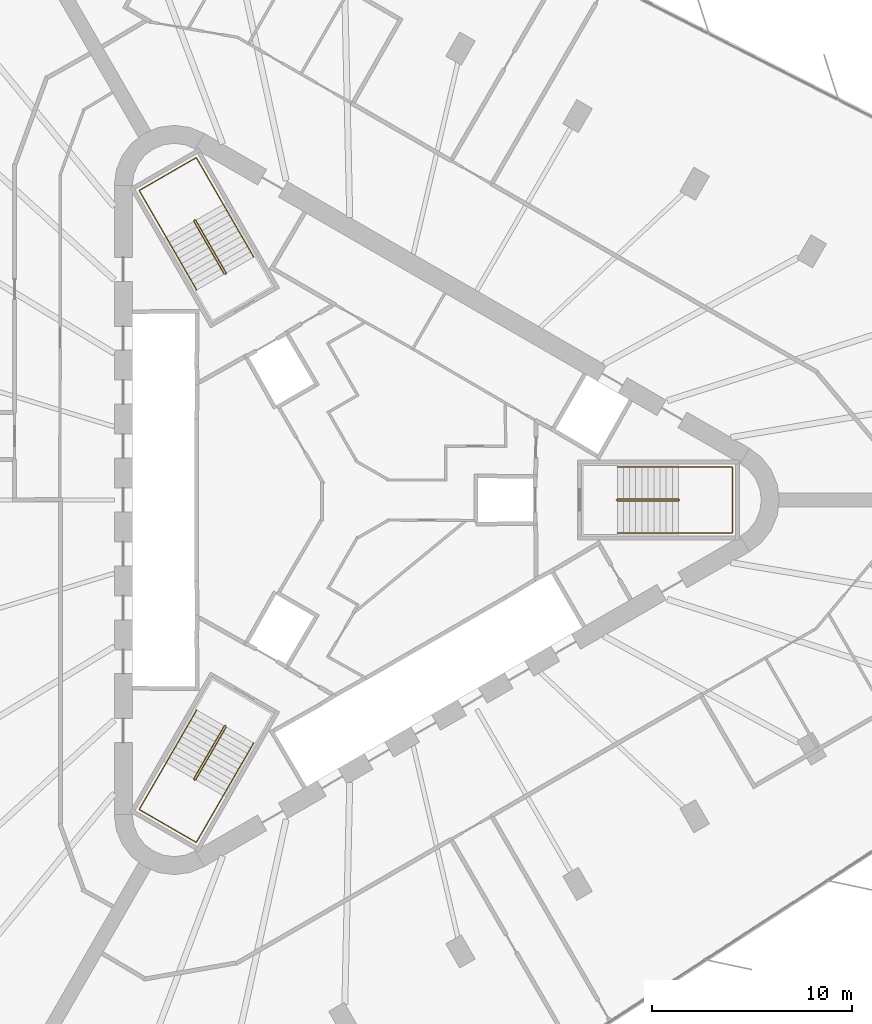
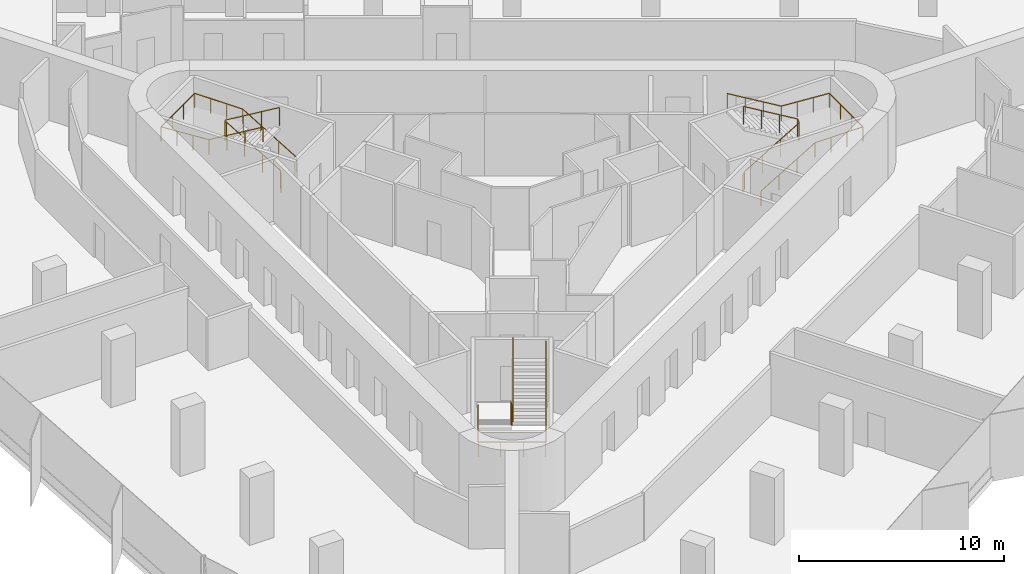
# One storey, part 14 of 14: 6 railings.
"""IFC4 building model written with IfcOpenShell, lengths in metres."""

import ifcopenshell
import ifcopenshell.guid

model = None  # the IFC model being written
_history = None  # IfcOwnerHistory: only IFC2X3 demands one
_inside = {}  # id of a spatial element -> (the spatial element, [elements in it])
_under = {}  # id of a project, library or spatial element -> (it, [spatial elements below it])
_declared = {}  # id of a project -> (the project, [libraries it declares])
_typed = {}  # id of a type object -> (the type object, [elements of that type])
_made_of = {}  # id of a material, layer set ... -> (it, [elements and type objects made of it])


def new_model(schema):
    """Start an empty IFC model of exactly this schema.

    Asked for "IFC4X3", IfcOpenShell would pick the latest addendum, in which some entities
    have other attributes; the version numbers below select the first issue.
    IFC2X3 requires an IfcOwnerHistory on every rooted entity: one is made here for all.
    """
    global model, _history
    if schema == "IFC4X3":
        model = ifcopenshell.file(schema_version=(4, 3, 0, 0))
    else:
        model = ifcopenshell.file(schema=schema)
    _inside.clear()
    _under.clear()
    _declared.clear()
    _typed.clear()
    _made_of.clear()
    _history = None
    if model.schema == "IFC2X3":
        org = make("IfcOrganization", Name="unknown")
        user = make(
            "IfcPersonAndOrganization",
            ThePerson=make("IfcPerson", FamilyName="unknown"),
            TheOrganization=org,
        )
        app = make(
            "IfcApplication",
            ApplicationDeveloper=org,
            Version="unknown",
            ApplicationFullName="unknown",
            ApplicationIdentifier="unknown",
        )
        _history = make(
            "IfcOwnerHistory",
            OwningUser=user,
            OwningApplication=app,
            ChangeAction="ADDED",
            CreationDate=0,
        )
    return model


def make(cls, **values):
    """One entity of the class cls with the attributes given. An attribute that is None is left unset."""
    return model.create_entity(
        cls, **{name: value for name, value in values.items() if value is not None}
    )


def rooted(cls, **values):
    """An entity with a GlobalId (a new one), such as an element, a storey or a relation."""
    return make(cls, GlobalId=ifcopenshell.guid.new(), OwnerHistory=_history, **values)


def si_unit(unit_type, name, prefix=None):
    """IfcSIUnit, for example si_unit("LENGTHUNIT", "METRE", prefix="MILLI")."""
    return make("IfcSIUnit", UnitType=unit_type, Prefix=prefix, Name=name)


def assignment(units):
    """IfcUnitAssignment: the units of a project."""
    return None if units is None else make("IfcUnitAssignment", Units=units)


def point(xyz):
    """IfcCartesianPoint."""
    return None if xyz is None else make("IfcCartesianPoint", Coordinates=xyz)


def direction(xyz):
    """IfcDirection."""
    return None if xyz is None else make("IfcDirection", DirectionRatios=xyz)


def frame(location, z_axis=None, x_axis=None):
    """IfcAxis2Placement3D, a coordinate frame: its origin and axes. An axis left out is left unset."""
    return make(
        "IfcAxis2Placement3D",
        Location=point(location),
        Axis=direction(z_axis),
        RefDirection=direction(x_axis),
    )


def frame_2d(location, x_axis=None):
    """IfcAxis2Placement2D, a coordinate frame in the plane: its origin and x axis."""
    return make(
        "IfcAxis2Placement2D", Location=point(location), RefDirection=direction(x_axis)
    )


def origin():
    """The frame at (0, 0, 0) with its axes left unset."""
    return frame((0.0, 0.0, 0.0))


def origin_2d():
    """The frame at (0, 0) in the plane with its x axis left unset."""
    return frame_2d((0.0, 0.0))


def place(relative_to, where):
    """IfcLocalPlacement: puts the frame where relative to a parent placement (None: the world)."""
    return make(
        "IfcLocalPlacement", PlacementRelTo=relative_to, RelativePlacement=where
    )


def context(
    kind, dimensions, precision=None, world=None, true_north=None, identifier=None
):
    """IfcGeometricRepresentationContext, for example the 3D "Model" context."""
    return make(
        "IfcGeometricRepresentationContext",
        ContextIdentifier=identifier,
        ContextType=kind,
        CoordinateSpaceDimension=dimensions,
        Precision=precision,
        WorldCoordinateSystem=world,
        TrueNorth=true_north,
    )


def subcontext(parent, identifier, kind, view, scale=None):
    """IfcGeometricRepresentationSubContext, for example "Body" below "Model"."""
    return make(
        "IfcGeometricRepresentationSubContext",
        ContextIdentifier=identifier,
        ContextType=kind,
        ParentContext=parent,
        TargetScale=scale,
        TargetView=view,
    )


def project(units=None, contexts=None):
    """IfcProject with its units and contexts."""
    return rooted(
        "IfcProject",
        Name="project",
        RepresentationContexts=contexts,
        UnitsInContext=assignment(units),
    )


def spatial(cls, under=None, at=None, **own):
    """A site, building, storey or space (cls), placed at a placement, below another one or the project."""
    s = rooted(cls, ObjectPlacement=at, **own)
    if under is not None:
        _under.setdefault(under.id(), (under, []))[1].append(s)
    return s


def profile(cls, at=None, kind="AREA", **sizes):
    """A parametric profile (cls). Its sizes go by their IFC names, for example OverallWidth=200.0."""
    return make(cls, ProfileType=kind, Position=at, **sizes)


def circle(**sizes):
    """IfcCircleProfileDef."""
    return profile("IfcCircleProfileDef", **sizes)


def extrude(swept, where, along, depth):
    """IfcExtrudedAreaSolid: the profile swept, set in the frame where, extruded along a direction by depth."""
    return make(
        "IfcExtrudedAreaSolid",
        SweptArea=swept,
        Position=where,
        ExtrudedDirection=direction(along),
        Depth=depth,
    )


def shape(context_of_items, identifier, shape_type, items):
    """IfcShapeRepresentation: the items that make up one representation, for example the "Body"."""
    return make(
        "IfcShapeRepresentation",
        ContextOfItems=context_of_items,
        RepresentationIdentifier=identifier,
        RepresentationType=shape_type,
        Items=items,
    )


def material(Name=None, Category=None):
    """IfcMaterial."""
    return make("IfcMaterial", Name=Name, Category=Category)


def made_of(thing, what):
    """Note that an element or type object is made of a material, layer set ...; save() writes the relation."""
    if what is not None:
        _made_of.setdefault(what.id(), (what, []))[1].append(thing)
    return thing


def type_object(cls, material=None, **own):
    """A type object (cls), such as IfcWallType, which elements share."""
    return made_of(rooted(cls, **own), material)


def element(
    cls,
    number,
    at=None,
    inside=None,
    cuts=None,
    type_object=None,
    material=None,
    context=None,
    identifier="Body",
    shape_type=None,
    held_by="IfcProductDefinitionShape",
    body=None,
    shapes=None,
    **own,
):
    """One element of the class cls, such as IfcWall. Its Tag is "e" and its number.

    at: its placement. inside: the storey or other place that contains it. cuts: it is an
    opening in that element (IfcRelVoidsElement). A single representation is given by context,
    identifier, shape_type and body (its items); several are given by shapes. held_by: the class
    of the entity that holds the representations. save() writes the other relations.
    """
    e = rooted(cls, Tag="e%d" % number, ObjectPlacement=at, **own)
    if body is not None:
        shapes = [shape(context, identifier, shape_type, body)]
    if shapes is not None:
        e.Representation = make(held_by, Representations=shapes)
    if inside is not None:
        _inside.setdefault(inside.id(), (inside, []))[1].append(e)
    if cuts is not None:
        rooted(
            "IfcRelVoidsElement", RelatingBuildingElement=cuts, RelatedOpeningElement=e
        )
    if type_object is not None:
        _typed.setdefault(type_object.id(), (type_object, []))[1].append(e)
    return made_of(e, material)


def aggregate(whole, parts):
    """IfcRelAggregates: a whole, such as a stair, and the parts it consists of."""
    return rooted("IfcRelAggregates", RelatingObject=whole, RelatedObjects=parts)


def save(model, path):
    """Write the relations noted so far, then the file.

    IfcRelAggregates (storeys below a building ...), IfcRelContainedInSpatialStructure (elements
    in a storey), IfcRelDefinesByType, IfcRelAssociatesMaterial and IfcRelDeclares: one each for
    every whole, place, type object, material and project.
    """
    for whole, parts in _under.values():
        aggregate(whole, parts)
    for where, things in _inside.values():
        rooted(
            "IfcRelContainedInSpatialStructure",
            RelatedElements=things,
            RelatingStructure=where,
        )
    for kind, things in _typed.values():
        rooted("IfcRelDefinesByType", RelatedObjects=things, RelatingType=kind)
    for what, things in _made_of.values():
        rooted("IfcRelAssociatesMaterial", RelatedObjects=things, RelatingMaterial=what)
    for by, libraries in _declared.values():
        rooted("IfcRelDeclares", RelatingContext=by, RelatedDefinitions=libraries)
    model.write(path)


model = new_model("IFC4")

# Units and contexts
model_context = context("Model", 3, precision=1e-05, world=origin(), true_north=direction((0.0, 1.0)))
body_context = subcontext(model_context, "Body", "Model", "MODEL_VIEW")
ifc_project = project(units=[si_unit("LENGTHUNIT", "METRE"), si_unit("AREAUNIT", "SQUARE_METRE"), si_unit("VOLUMEUNIT", "CUBIC_METRE"), si_unit("PLANEANGLEUNIT", "RADIAN"), si_unit("MASSUNIT", "GRAM", prefix="KILO")], contexts=[model_context])

# Site, building, storey
site_placement = place(None, origin())
site = spatial("IfcSite", under=ifc_project, at=site_placement, CompositionType="ELEMENT")
building_placement = place(site_placement, origin())
building = spatial("IfcBuilding", under=site, at=building_placement, Name="Tanit Gate Tower", CompositionType="ELEMENT")
storey_placement = place(building_placement, frame((0.0, 0.0, 205.199951171875)))
storey = spatial("IfcBuildingStorey", under=building, at=storey_placement, Name="L45", CompositionType="ELEMENT", Elevation=205.199951171875)

# Railings
ifc_material_1 = material(Name="Stainless steel balustrade", Category="steel")
railing_type_1 = type_object("IfcRailingType", Name="INT-STAIR-GUARD", PredefinedType="GUARDRAIL", material=ifc_material_1)
railing_1_placement = place(storey_placement, frame((13.044921875, 0.0048828125, 0.0)))
element("IfcRailing", 1, at=railing_1_placement, inside=storey, type_object=railing_type_1, Name="L45 S1 stair guard 1", PredefinedType="GUARDRAIL", context=body_context, shape_type="SweptSolid", body=[
    extrude(circle(Radius=0.02392578125, at=origin_2d()), frame((0.0, 0.0, 1.076171875), z_axis=(0.0, -1.0, 0.0), x_axis=(1.0, 0.0, 0.0)), (0.0, 0.0, 1.0), 0.009765625),
    extrude(circle(Radius=0.02392578125, at=origin_2d()), frame((0.0, -0.009765625, 1.076171875), z_axis=(0.256435381639, -0.256435381639, 0.931923704005), x_axis=(0.707106781187, 0.707106781187, 0.0)), (0.0, 0.0, 1.0), 0.195068359375),
    extrude(circle(Radius=0.02392578125, at=origin_2d()), frame((0.050048828125, -0.059814453125, 1.2578125), z_axis=(0.859041732319, 0.0, 0.511905559781), x_axis=(0.0, 1.0, 0.0)), (0.0, 0.0, 1.0), 3.5517578125),
    extrude(circle(Radius=0.02392578125, at=origin_2d()), frame((3.10107421875, -0.059814453125, 3.076171875), z_axis=(0.707106781187, 0.707106781187, 0.0), x_axis=(-0.707106781187, 0.707106781187, 0.0)), (0.0, 0.0, 1.0), 0.07080078125),
    extrude(circle(Radius=0.02392578125, at=origin_2d()), frame((3.151123046875, -0.009765625, 3.076171875), z_axis=(0.0, 1.0, 0.0), x_axis=(-1.0, 0.0, 0.0)), (0.0, 0.0, 1.0), 0.009765625),
    extrude(circle(Radius=0.02392578125, at=origin_2d()), frame((3.151123046875, 0.0, 3.076171875), z_axis=(-0.256435381639, 0.256435381639, 0.931923704005), x_axis=(-0.707106781187, -0.707106781187, 0.0)), (0.0, 0.0, 1.0), 0.195068359375),
    extrude(circle(Radius=0.02392578125, at=origin_2d()), frame((3.10107421875, 0.050048828125, 3.2578125), z_axis=(-0.859041732319, 0.0, 0.511905559781), x_axis=(0.0, -1.0, 0.0)), (0.0, 0.0, 1.0), 3.5517578125),
    extrude(circle(Radius=0.02099609375, at=origin_2d()), origin(), (0.0, 0.0, 1.0), 1.052001953125),
    extrude(circle(Radius=0.02099609375, at=origin_2d()), frame((0.0, -0.009765625, 0.0)), (0.0, 0.0, 1.0), 1.052001953125),
    extrude(circle(Radius=0.02099609375, at=origin_2d()), frame((0.050048828125, -0.059814453125, 0.181884765625)), (0.0, 0.0, 1.0), 1.052001953125),
    extrude(circle(Radius=0.02099609375, at=origin_2d()), frame((1.067138671875, -0.059814453125, 0.787841796875)), (0.0, 0.0, 1.0), 1.052001953125),
    extrude(circle(Radius=0.02099609375, at=origin_2d()), frame((2.083984375, -0.059814453125, 1.39404296875)), (0.0, 0.0, 1.0), 1.052001953125),
    extrude(circle(Radius=0.02099609375, at=origin_2d()), frame((3.10107421875, -0.059814453125, 2.0)), (0.0, 0.0, 1.0), 1.052001953125),
    extrude(circle(Radius=0.02099609375, at=origin_2d()), frame((3.151123046875, -0.009765625, 2.0)), (0.0, 0.0, 1.0), 1.052001953125),
    extrude(circle(Radius=0.02099609375, at=origin_2d()), frame((3.151123046875, 0.0, 2.0)), (0.0, 0.0, 1.0), 1.052001953125),
    extrude(circle(Radius=0.02099609375, at=origin_2d()), frame((3.10107421875, 0.050048828125, 2.181884765625)), (0.0, 0.0, 1.0), 1.052001953125),
    extrude(circle(Radius=0.02099609375, at=origin_2d()), frame((2.083984375, 0.050048828125, 2.787841796875)), (0.0, 0.0, 1.0), 1.052001953125),
    extrude(circle(Radius=0.02099609375, at=origin_2d()), frame((1.067138671875, 0.050048828125, 3.39404296875)), (0.0, 0.0, 1.0), 1.052001953125),
    extrude(circle(Radius=0.02099609375, at=origin_2d()), frame((0.050048828125, 0.050048828125, 4.0)), (0.0, 0.0, 1.0), 1.052001953125),
])
railing_2_placement = place(storey_placement, frame((-6.527099609375, 11.29345703125, 0.0)))
element("IfcRailing", 2, at=railing_2_placement, inside=storey, type_object=railing_type_1, Name="L45 S2 stair guard 1", PredefinedType="GUARDRAIL", context=body_context, shape_type="SweptSolid", body=[
    extrude(circle(Radius=0.02392578125, at=origin_2d()), frame((0.0, 0.0, 1.076171875), z_axis=(0.868243142124, 0.496138938357, 0.0), x_axis=(-0.496138938357, 0.868243142124, 0.0)), (0.0, 0.0, 1.0), 0.01171875),
    extrude(circle(Radius=0.02392578125, at=origin_2d()), frame((0.01025390625, 0.005859375, 1.076171875), z_axis=(0.093819657636, 0.350260055175, 0.93194193252), x_axis=(-0.965948051503, 0.258736085224, 0.0)), (0.0, 0.0, 1.0), 0.195068359375),
    extrude(circle(Radius=0.02392578125, at=origin_2d()), frame((0.028564453125, 0.07421875, 1.2578125), z_axis=(-0.429472220917, 0.743822504634, 0.512134448226), x_axis=(-0.866012246495, -0.500022788402, 0.0)), (0.0, 0.0, 1.0), 3.550048828125),
    extrude(circle(Radius=0.02392578125, at=origin_2d()), frame((-1.49609375, 2.71484375, 3.076171875), z_axis=(-0.965715946433, 0.259601060869, 0.0), x_axis=(-0.259601060869, -0.965715946433, 0.0)), (0.0, 0.0, 1.0), 0.070556640625),
    extrude(circle(Radius=0.02392578125, at=origin_2d()), frame((-1.564208984375, 2.733154296875, 3.076171875), z_axis=(-0.873197702015, -0.487366159264, 0.0), x_axis=(0.487366159264, -0.873197702015, 0.0)), (0.0, 0.0, 1.0), 0.011962890625),
    extrude(circle(Radius=0.02392578125, at=origin_2d()), frame((-1.57470703125, 2.727294921875, 3.076171875), z_axis=(-0.093819657636, -0.350260055175, 0.93194193252), x_axis=(0.965948051503, -0.258736085224, 0.0)), (0.0, 0.0, 1.0), 0.195068359375),
    extrude(circle(Radius=0.02392578125, at=origin_2d()), frame((-1.593017578125, 2.658935546875, 3.2578125), z_axis=(0.429472220917, -0.743822504634, 0.512134448226), x_axis=(0.866012246495, 0.500022788402, 0.0)), (0.0, 0.0, 1.0), 3.550048828125),
    extrude(circle(Radius=0.02099609375, at=origin_2d()), origin(), (0.0, 0.0, 1.0), 1.052001953125),
    extrude(circle(Radius=0.02099609375, at=origin_2d()), frame((0.01025390625, 0.005859375, 0.0)), (0.0, 0.0, 1.0), 1.052001953125),
    extrude(circle(Radius=0.02099609375, at=origin_2d()), frame((0.028564453125, 0.07421875, 0.181884765625)), (0.0, 0.0, 1.0), 1.052001953125),
    extrude(circle(Radius=0.02099609375, at=origin_2d()), frame((-0.479736328125, 0.954345703125, 0.787841796875)), (0.0, 0.0, 1.0), 1.052001953125),
    extrude(circle(Radius=0.02099609375, at=origin_2d()), frame((-0.98779296875, 1.834716796875, 1.39404296875)), (0.0, 0.0, 1.0), 1.052001953125),
    extrude(circle(Radius=0.02099609375, at=origin_2d()), frame((-1.49609375, 2.71484375, 2.0)), (0.0, 0.0, 1.0), 1.052001953125),
    extrude(circle(Radius=0.02099609375, at=origin_2d()), frame((-1.564208984375, 2.733154296875, 2.0)), (0.0, 0.0, 1.0), 1.052001953125),
    extrude(circle(Radius=0.02099609375, at=origin_2d()), frame((-1.57470703125, 2.727294921875, 2.0)), (0.0, 0.0, 1.0), 1.052001953125),
    extrude(circle(Radius=0.02099609375, at=origin_2d()), frame((-1.593017578125, 2.658935546875, 2.181884765625)), (0.0, 0.0, 1.0), 1.052001953125),
    extrude(circle(Radius=0.02099609375, at=origin_2d()), frame((-1.084716796875, 1.77880859375, 2.787841796875)), (0.0, 0.0, 1.0), 1.052001953125),
    extrude(circle(Radius=0.02099609375, at=origin_2d()), frame((-0.57666015625, 0.8984375, 3.39404296875)), (0.0, 0.0, 1.0), 1.052001953125),
    extrude(circle(Radius=0.02099609375, at=origin_2d()), frame((-0.068359375, 0.018310546875, 4.0)), (0.0, 0.0, 1.0), 1.052001953125),
])
railing_3_placement = place(storey_placement, frame((-6.51806640625, -11.2998046875, 0.0)))
element("IfcRailing", 3, at=railing_3_placement, inside=storey, type_object=railing_type_1, Name="L45 S3 stair guard 1", PredefinedType="GUARDRAIL", context=body_context, shape_type="SweptSolid", body=[
    extrude(circle(Radius=0.02392578125, at=origin_2d()), frame((0.0, 0.0, 1.076171875), z_axis=(-0.874157276122, 0.485642931179, 0.0), x_axis=(-0.485642931179, -0.874157276122, 0.0)), (0.0, 0.0, 1.0), 0.010009765625),
    extrude(circle(Radius=0.02392578125, at=origin_2d()), frame((-0.0087890625, 0.0048828125, 1.076171875), z_axis=(-0.350300895388, -0.092579522353, 0.932050596658), x_axis=(0.255512919477, -0.966805641264, 0.0)), (0.0, 0.0, 1.0), 0.195068359375),
    extrude(circle(Radius=0.02392578125, at=origin_2d()), frame((-0.0771484375, -0.01318359375, 1.2578125), z_axis=(-0.429486674828, -0.743971555965, 0.511905772639), x_axis=(0.866048339477, -0.499960272111, 0.0)), (0.0, 0.0, 1.0), 3.5517578125),
    extrude(circle(Radius=0.02392578125, at=origin_2d()), frame((-1.6025390625, -2.655517578125, 3.076171875), z_axis=(0.258736085224, -0.965948051503, 0.0), x_axis=(0.965948051503, 0.258736085224, 0.0)), (0.0, 0.0, 1.0), 0.07080078125),
    extrude(circle(Radius=0.02392578125, at=origin_2d()), frame((-1.584228515625, -2.723876953125, 3.076171875), z_axis=(0.868243142124, -0.496138938357, 0.0), x_axis=(0.496138938357, 0.868243142124, 0.0)), (0.0, 0.0, 1.0), 0.009765625),
    extrude(circle(Radius=0.02392578125, at=origin_2d()), frame((-1.57568359375, -2.728759765625, 3.076171875), z_axis=(0.350260055175, 0.093819657636, 0.93194193252), x_axis=(-0.258736085224, 0.965948051503, 0.0)), (0.0, 0.0, 1.0), 0.195068359375),
    extrude(circle(Radius=0.02392578125, at=origin_2d()), frame((-1.50732421875, -2.71044921875, 3.2578125), z_axis=(0.429564698942, 0.743918894535, 0.511916836777), x_axis=(-0.865993683553, 0.500054937028, 0.0)), (0.0, 0.0, 1.0), 3.551513671875),
    extrude(circle(Radius=0.02099609375, at=origin_2d()), origin(), (0.0, 0.0, 1.0), 1.052001953125),
    extrude(circle(Radius=0.02099609375, at=origin_2d()), frame((-0.0087890625, 0.0048828125, 0.0)), (0.0, 0.0, 1.0), 1.052001953125),
    extrude(circle(Radius=0.02099609375, at=origin_2d()), frame((-0.0771484375, -0.01318359375, 0.181884765625)), (0.0, 0.0, 1.0), 1.052001953125),
    extrude(circle(Radius=0.02099609375, at=origin_2d()), frame((-0.585693359375, -0.89404296875, 0.787841796875)), (0.0, 0.0, 1.0), 1.052001953125),
    extrude(circle(Radius=0.02099609375, at=origin_2d()), frame((-1.093994140625, -1.774658203125, 1.39404296875)), (0.0, 0.0, 1.0), 1.052001953125),
    extrude(circle(Radius=0.02099609375, at=origin_2d()), frame((-1.6025390625, -2.655517578125, 2.0)), (0.0, 0.0, 1.0), 1.052001953125),
    extrude(circle(Radius=0.02099609375, at=origin_2d()), frame((-1.584228515625, -2.723876953125, 2.0)), (0.0, 0.0, 1.0), 1.052001953125),
    extrude(circle(Radius=0.02099609375, at=origin_2d()), frame((-1.57568359375, -2.728759765625, 2.0)), (0.0, 0.0, 1.0), 1.052001953125),
    extrude(circle(Radius=0.02099609375, at=origin_2d()), frame((-1.50732421875, -2.71044921875, 2.181884765625)), (0.0, 0.0, 1.0), 1.052001953125),
    extrude(circle(Radius=0.02099609375, at=origin_2d()), frame((-0.998779296875, -1.829833984375, 2.787841796875)), (0.0, 0.0, 1.0), 1.052001953125),
    extrude(circle(Radius=0.02099609375, at=origin_2d()), frame((-0.490234375, -0.948974609375, 3.39404296875)), (0.0, 0.0, 1.0), 1.052001953125),
    extrude(circle(Radius=0.02099609375, at=origin_2d()), frame((0.018310546875, -0.068359375, 4.0)), (0.0, 0.0, 1.0), 1.052001953125),
])
ifc_material_2 = material(Name="Stainless steel handrail", Category="steel")
railing_type_2 = type_object("IfcRailingType", Name="INT-STAIR-HANDRAIL", PredefinedType="HANDRAIL", material=ifc_material_2)
railing_4_placement = place(storey_placement, frame((13.094970703125, -1.64990234375, 0.181884765625)))
element("IfcRailing", 4, at=railing_4_placement, inside=storey, type_object=railing_type_2, Name="L45 S1 stair handrail 1", PredefinedType="HANDRAIL", context=body_context, shape_type="SweptSolid", body=[
    extrude(circle(Radius=0.02392578125, at=origin_2d()), frame((0.0, 0.0, 0.8759765625), z_axis=(0.859041732319, 0.0, 0.511905559781), x_axis=(0.0, 1.0, 0.0)), (0.0, 0.0, 1.0), 3.5517578125),
    extrude(circle(Radius=0.02392578125, at=origin_2d()), frame((3.051025390625, 0.0, 2.69384765625), z_axis=(1.0, 0.0, 0.0), x_axis=(0.0, 1.0, 0.0)), (0.0, 0.0, 1.0), 2.7041015625),
    extrude(circle(Radius=0.02392578125, at=origin_2d()), frame((5.755126953125, 0.0, 2.69384765625), z_axis=(0.0, 1.0, 0.0), x_axis=(-1.0, 0.0, 0.0)), (0.0, 0.0, 1.0), 3.2998046875),
    extrude(circle(Radius=0.02392578125, at=origin_2d()), frame((5.755126953125, 3.2998046875, 2.69384765625), z_axis=(-0.997745521698, 0.0, 0.067110907698), x_axis=(0.0, -1.0, 0.0)), (0.0, 0.0, 1.0), 2.710205078125),
    extrude(circle(Radius=0.02392578125, at=origin_2d()), frame((3.051025390625, 3.2998046875, 2.8759765625), z_axis=(-0.859041732319, 0.0, 0.511905559781), x_axis=(0.0, -1.0, 0.0)), (0.0, 0.0, 1.0), 3.5517578125),
    extrude(circle(Radius=0.02099609375, at=origin_2d()), origin(), (0.0, 0.0, 1.0), 0.851806640625),
    extrude(circle(Radius=0.02099609375, at=origin_2d()), frame((1.01708984375, 0.0, 0.60595703125)), (0.0, 0.0, 1.0), 0.851806640625),
    extrude(circle(Radius=0.02099609375, at=origin_2d()), frame((2.033935546875, 0.0, 1.212158203125)), (0.0, 0.0, 1.0), 0.851806640625),
    extrude(circle(Radius=0.02099609375, at=origin_2d()), frame((3.051025390625, 0.0, 1.818115234375)), (0.0, 0.0, 1.0), 0.851806640625),
    extrude(circle(Radius=0.02099609375, at=origin_2d()), frame((3.952392578125, 0.0, 1.818115234375)), (0.0, 0.0, 1.0), 0.851806640625),
    extrude(circle(Radius=0.02099609375, at=origin_2d()), frame((4.853759765625, 0.0, 1.818115234375)), (0.0, 0.0, 1.0), 0.851806640625),
    extrude(circle(Radius=0.02099609375, at=origin_2d()), frame((5.755126953125, 0.0, 1.818115234375)), (0.0, 0.0, 1.0), 0.851806640625),
    extrude(circle(Radius=0.02099609375, at=origin_2d()), frame((5.755126953125, 1.099853515625, 1.818115234375)), (0.0, 0.0, 1.0), 0.851806640625),
    extrude(circle(Radius=0.02099609375, at=origin_2d()), frame((5.755126953125, 2.199951171875, 1.818115234375)), (0.0, 0.0, 1.0), 0.851806640625),
    extrude(circle(Radius=0.02099609375, at=origin_2d()), frame((5.755126953125, 3.2998046875, 1.818115234375)), (0.0, 0.0, 1.0), 0.851806640625),
    extrude(circle(Radius=0.02099609375, at=origin_2d()), frame((4.853759765625, 3.2998046875, 1.878662109375)), (0.0, 0.0, 1.0), 0.851806640625),
    extrude(circle(Radius=0.02099609375, at=origin_2d()), frame((3.952392578125, 3.2998046875, 1.939453125)), (0.0, 0.0, 1.0), 0.851806640625),
    extrude(circle(Radius=0.02099609375, at=origin_2d()), frame((3.051025390625, 3.2998046875, 2.0)), (0.0, 0.0, 1.0), 0.851806640625),
    extrude(circle(Radius=0.02099609375, at=origin_2d()), frame((2.033935546875, 3.2998046875, 2.60595703125)), (0.0, 0.0, 1.0), 0.851806640625),
    extrude(circle(Radius=0.02099609375, at=origin_2d()), frame((1.01708984375, 3.2998046875, 3.212158203125)), (0.0, 0.0, 1.0), 0.851806640625),
    extrude(circle(Radius=0.02099609375, at=origin_2d()), frame((0.0, 3.2998046875, 3.818115234375)), (0.0, 0.0, 1.0), 0.851806640625),
])
railing_5_placement = place(storey_placement, frame((-5.1181640625, 12.164794921875, 0.181884765625)))
element("IfcRailing", 5, at=railing_5_placement, inside=storey, type_object=railing_type_2, Name="L45 S2 stair handrail 1", PredefinedType="HANDRAIL", context=body_context, shape_type="SweptSolid", body=[
    extrude(circle(Radius=0.02392578125, at=origin_2d()), frame((0.0, 0.0, 0.8759765625), z_axis=(-0.429416132344, 0.743844472684, 0.512149573602), x_axis=(-0.866046917185, -0.499962735845, 0.0)), (0.0, 0.0, 1.0), 3.550048828125),
    extrude(circle(Radius=0.02392578125, at=origin_2d()), frame((-1.5244140625, 2.640625, 2.69384765625), z_axis=(-0.500019123664, 0.86601436245, 0.0), x_axis=(-0.86601436245, -0.500019123664, 0.0)), (0.0, 0.0, 1.0), 2.70703125),
    extrude(circle(Radius=0.02392578125, at=origin_2d()), frame((-2.8779296875, 4.98486328125, 2.69384765625), z_axis=(-0.866008176907, -0.50002983664, 0.0), x_axis=(0.50002983664, -0.866008176907, 0.0)), (0.0, 0.0, 1.0), 3.300048828125),
    extrude(circle(Radius=0.02392578125, at=origin_2d()), frame((-5.73583984375, 3.334716796875, 2.69384765625), z_axis=(0.498932980467, -0.864043208057, 0.067046369128), x_axis=(0.865991810323, 0.500058181068, 0.0)), (0.0, 0.0, 1.0), 2.712890625),
    extrude(circle(Radius=0.02392578125, at=origin_2d()), frame((-4.38232421875, 0.99072265625, 2.8759765625), z_axis=(0.429450252752, -0.743853224023, 0.512108251761), x_axis=(0.866032263162, 0.499988119021, 0.0)), (0.0, 0.0, 1.0), 3.55029296875),
    extrude(circle(Radius=0.02099609375, at=origin_2d()), origin(), (0.0, 0.0, 1.0), 0.851806640625),
    extrude(circle(Radius=0.02099609375, at=origin_2d()), frame((-0.508056640625, 0.880126953125, 0.60595703125)), (0.0, 0.0, 1.0), 0.851806640625),
    extrude(circle(Radius=0.02099609375, at=origin_2d()), frame((-1.016357421875, 1.760498046875, 1.212158203125)), (0.0, 0.0, 1.0), 0.851806640625),
    extrude(circle(Radius=0.02099609375, at=origin_2d()), frame((-1.5244140625, 2.640625, 1.818115234375)), (0.0, 0.0, 1.0), 0.851806640625),
    extrude(circle(Radius=0.02099609375, at=origin_2d()), frame((-1.9755859375, 3.422119140625, 1.818115234375)), (0.0, 0.0, 1.0), 0.851806640625),
    extrude(circle(Radius=0.02099609375, at=origin_2d()), frame((-2.4267578125, 4.203369140625, 1.818115234375)), (0.0, 0.0, 1.0), 0.851806640625),
    extrude(circle(Radius=0.02099609375, at=origin_2d()), frame((-2.8779296875, 4.98486328125, 1.818115234375)), (0.0, 0.0, 1.0), 0.851806640625),
    extrude(circle(Radius=0.02099609375, at=origin_2d()), frame((-3.83056640625, 4.434814453125, 1.818115234375)), (0.0, 0.0, 1.0), 0.851806640625),
    extrude(circle(Radius=0.02099609375, at=origin_2d()), frame((-4.783203125, 3.884765625, 1.818115234375)), (0.0, 0.0, 1.0), 0.851806640625),
    extrude(circle(Radius=0.02099609375, at=origin_2d()), frame((-5.73583984375, 3.334716796875, 1.818115234375)), (0.0, 0.0, 1.0), 0.851806640625),
    extrude(circle(Radius=0.02099609375, at=origin_2d()), frame((-5.28466796875, 2.553466796875, 1.878662109375)), (0.0, 0.0, 1.0), 0.851806640625),
    extrude(circle(Radius=0.02099609375, at=origin_2d()), frame((-4.83349609375, 1.77197265625, 1.939453125)), (0.0, 0.0, 1.0), 0.851806640625),
    extrude(circle(Radius=0.02099609375, at=origin_2d()), frame((-4.38232421875, 0.99072265625, 2.0)), (0.0, 0.0, 1.0), 0.851806640625),
    extrude(circle(Radius=0.02099609375, at=origin_2d()), frame((-3.8740234375, 0.1103515625, 2.60595703125)), (0.0, 0.0, 1.0), 0.851806640625),
    extrude(circle(Radius=0.02099609375, at=origin_2d()), frame((-3.365966796875, -0.769775390625, 3.212158203125)), (0.0, 0.0, 1.0), 0.851806640625),
    extrude(circle(Radius=0.02099609375, at=origin_2d()), frame((-2.857666015625, -1.650146484375, 3.818115234375)), (0.0, 0.0, 1.0), 0.851806640625),
])
railing_6_placement = place(storey_placement, frame((-7.9765625, -10.515625, 0.181884765625)))
element("IfcRailing", 6, at=railing_6_placement, inside=storey, type_object=railing_type_2, Name="L45 S3 stair handrail 1", PredefinedType="HANDRAIL", context=body_context, shape_type="SweptSolid", body=[
    extrude(circle(Radius=0.02392578125, at=origin_2d()), frame((0.0, 0.0, 0.8759765625), z_axis=(-0.429486674828, -0.743971555965, 0.511905772639), x_axis=(0.866048339477, -0.499960272111, 0.0)), (0.0, 0.0, 1.0), 3.5517578125),
    extrude(circle(Radius=0.02392578125, at=origin_2d()), frame((-1.525390625, -2.642333984375, 2.69384765625), z_axis=(-0.50004290449, -0.866000631449, 0.0), x_axis=(0.866000631449, -0.50004290449, 0.0)), (0.0, 0.0, 1.0), 2.703857421875),
    extrude(circle(Radius=0.02392578125, at=origin_2d()), frame((-2.87744140625, -4.98388671875, 2.69384765625), z_axis=(0.866008176907, -0.50002983664, 0.0), x_axis=(0.50002983664, 0.866008176907, 0.0)), (0.0, 0.0, 1.0), 3.300048828125),
    extrude(circle(Radius=0.02392578125, at=origin_2d()), frame((-0.01953125, -6.634033203125, 2.69384765625), z_axis=(0.498876541924, 0.864070745781, 0.067111416348), x_axis=(-0.866023205937, 0.500003806764, 0.0)), (0.0, 0.0, 1.0), 2.710205078125),
    extrude(circle(Radius=0.02392578125, at=origin_2d()), frame((1.33251953125, -4.292236328125, 2.8759765625), z_axis=(0.429486674828, 0.743971555965, 0.511905772639), x_axis=(-0.866048339477, 0.499960272111, 0.0)), (0.0, 0.0, 1.0), 3.5517578125),
    extrude(circle(Radius=0.02099609375, at=origin_2d()), origin(), (0.0, 0.0, 1.0), 0.851806640625),
    extrude(circle(Radius=0.02099609375, at=origin_2d()), frame((-0.508544921875, -0.880859375, 0.60595703125)), (0.0, 0.0, 1.0), 0.851806640625),
    extrude(circle(Radius=0.02099609375, at=origin_2d()), frame((-1.016845703125, -1.761474609375, 1.212158203125)), (0.0, 0.0, 1.0), 0.851806640625),
    extrude(circle(Radius=0.02099609375, at=origin_2d()), frame((-1.525390625, -2.642333984375, 1.818115234375)), (0.0, 0.0, 1.0), 0.851806640625),
    extrude(circle(Radius=0.02099609375, at=origin_2d()), frame((-1.97607421875, -3.4228515625, 1.818115234375)), (0.0, 0.0, 1.0), 0.851806640625),
    extrude(circle(Radius=0.02099609375, at=origin_2d()), frame((-2.4267578125, -4.203369140625, 1.818115234375)), (0.0, 0.0, 1.0), 0.851806640625),
    extrude(circle(Radius=0.02099609375, at=origin_2d()), frame((-2.87744140625, -4.98388671875, 1.818115234375)), (0.0, 0.0, 1.0), 0.851806640625),
    extrude(circle(Radius=0.02099609375, at=origin_2d()), frame((-1.9248046875, -5.533935546875, 1.818115234375)), (0.0, 0.0, 1.0), 0.851806640625),
    extrude(circle(Radius=0.02099609375, at=origin_2d()), frame((-0.97216796875, -6.083984375, 1.818115234375)), (0.0, 0.0, 1.0), 0.851806640625),
    extrude(circle(Radius=0.02099609375, at=origin_2d()), frame((-0.01953125, -6.634033203125, 1.818115234375)), (0.0, 0.0, 1.0), 0.851806640625),
    extrude(circle(Radius=0.02099609375, at=origin_2d()), frame((0.43115234375, -5.853515625, 1.878662109375)), (0.0, 0.0, 1.0), 0.851806640625),
    extrude(circle(Radius=0.02099609375, at=origin_2d()), frame((0.8818359375, -5.07275390625, 1.939453125)), (0.0, 0.0, 1.0), 0.851806640625),
    extrude(circle(Radius=0.02099609375, at=origin_2d()), frame((1.33251953125, -4.292236328125, 2.0)), (0.0, 0.0, 1.0), 0.851806640625),
    extrude(circle(Radius=0.02099609375, at=origin_2d()), frame((1.841064453125, -3.411376953125, 2.60595703125)), (0.0, 0.0, 1.0), 0.851806640625),
    extrude(circle(Radius=0.02099609375, at=origin_2d()), frame((2.349365234375, -2.53076171875, 3.212158203125)), (0.0, 0.0, 1.0), 0.851806640625),
    extrude(circle(Radius=0.02099609375, at=origin_2d()), frame((2.85791015625, -1.64990234375, 3.818115234375)), (0.0, 0.0, 1.0), 0.851806640625),
])

save(model, "model.ifc")
